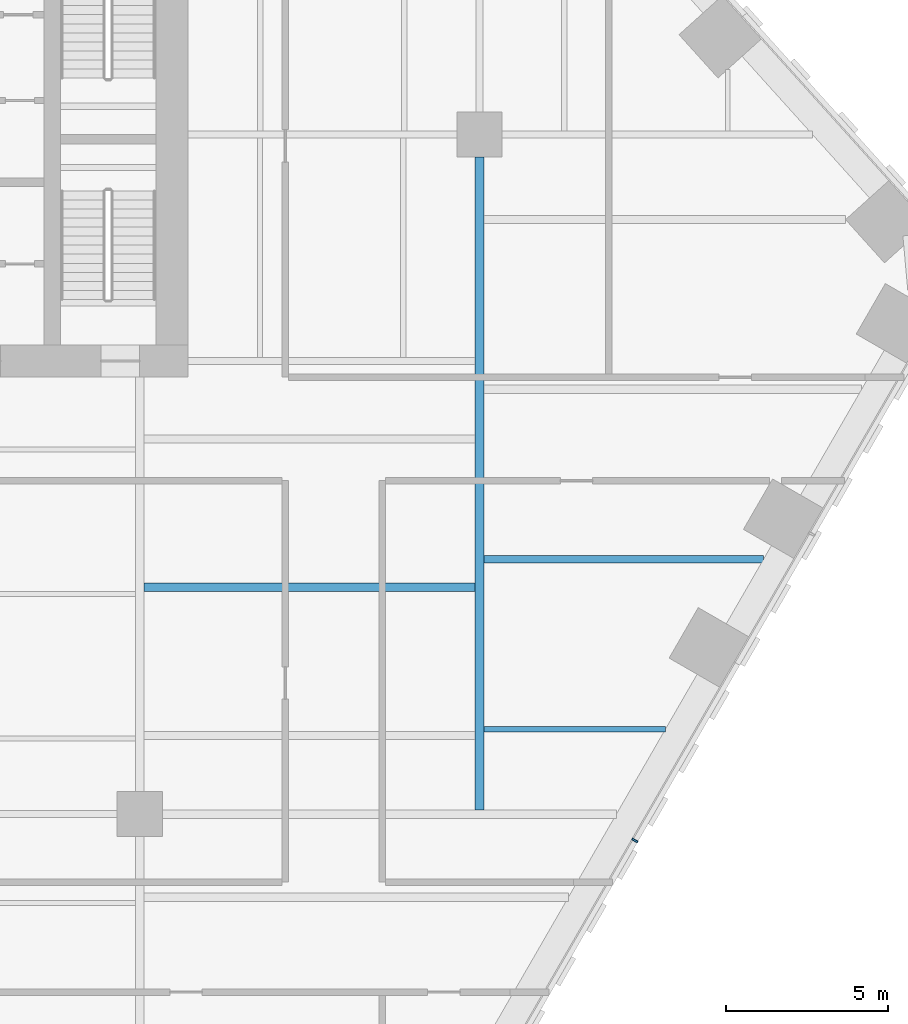
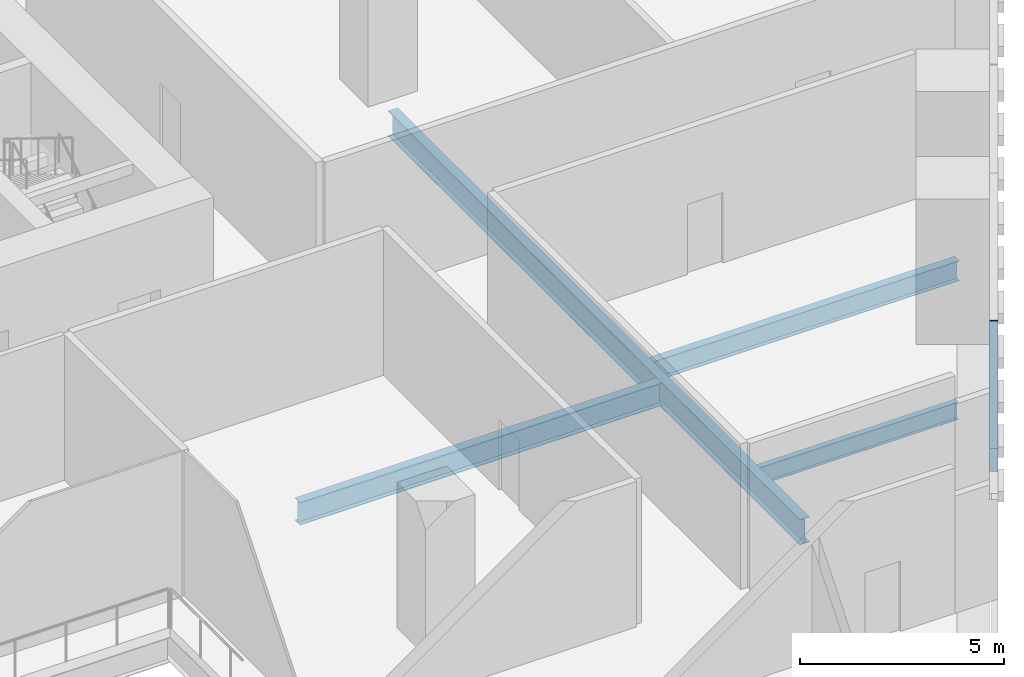
# One storey, part 7 of 19: 4 beams, 1 member, 1 element without a shape of its own.
"""IFC4 building model written with IfcOpenShell, lengths in metres."""

from ifc_helpers import new_model, si_unit, direction, frame, origin, origin_2d, place, context, subcontext, project, spatial, rectangle, i_section, extrude, material, layer, layer_set, material_profile, profile_set, type_object, element, aggregate, save


model = new_model("IFC4")

# Units and contexts
model_context = context("Model", 3, precision=1e-05, world=origin(), true_north=direction((0.0, 1.0)))
body_context = subcontext(model_context, "Body", "Model", "MODEL_VIEW")
ifc_project = project(units=[si_unit("LENGTHUNIT", "METRE"), si_unit("AREAUNIT", "SQUARE_METRE"), si_unit("VOLUMEUNIT", "CUBIC_METRE"), si_unit("PLANEANGLEUNIT", "RADIAN"), si_unit("MASSUNIT", "GRAM", prefix="KILO")], contexts=[model_context])

# Site, building, storey
site_placement = place(None, origin())
site = spatial("IfcSite", under=ifc_project, at=site_placement, CompositionType="ELEMENT")
building_placement = place(site_placement, origin())
building = spatial("IfcBuilding", under=site, at=building_placement, Name="Isthmus Gate Tower", CompositionType="ELEMENT")
storey_placement = place(building_placement, frame((0.0, 0.0, 76.14990234375)))
storey = spatial("IfcBuildingStorey", under=building, at=storey_placement, Name="L17", CompositionType="ELEMENT", Elevation=76.14990234375)

# Curtain wall, member
ifc_material_1 = material(Name="Aluminium, pale champagne anodised", Category="aluminium")
ifc_layer = layer(ifc_material_1, 0.199951171875)
ifc_layer_set = layer_set([ifc_layer], Name="CW-2 LOUVRE CURTAIN WALL 200 DEEP")
curtain_wall_type = type_object("IfcCurtainWallType", Name="CW-2 LOUVRE CURTAIN WALL 200 DEEP", PredefinedType="NOTDEFINED", material=ifc_layer_set)
curtain_wall_placement = place(storey_placement, origin())
curtain_wall = element("IfcCurtainWall", 1, at=curtain_wall_placement, inside=storey, type_object=curtain_wall_type, Name="CW-2 SE L17", PredefinedType="NOTDEFINED")
ifc_material_2 = material(Name="Aluminium, pale champagne anodised", Category="aluminium")
ifc_material_profile_1 = material_profile(ifc_material_2, rectangle(XDim=0.06005859375, YDim=0.199951171875, at=origin_2d()), Name="60x200")
ifc_profile_set_1 = profile_set([ifc_material_profile_1], Name="Aluminium, pale champagne anodised")
member_type = type_object("IfcMemberType", Name="CW-2 MULLION 60 X 200", PredefinedType="MULLION", material=ifc_profile_set_1)
member_placement = place(storey_placement, frame((28.802001953125, -14.3134765625, 0.0), z_axis=(0.0, 0.0, 1.0), x_axis=(0.5, 0.866025403784, 0.0)))
member = element("IfcMember", 2, at=member_placement, type_object=member_type, Name="CW-2 mullion", PredefinedType="MULLION", context=body_context, shape_type="SweptSolid", body=[
    extrude(rectangle(XDim=0.06005859375, YDim=0.199951171875, at=origin_2d()), origin(), (0.0, 0.0, 1.0), 4.5),
])
aggregate(curtain_wall, [member])

# Beams
ifc_material_3 = material(Name="Structural steel ASTM A992 Gr 50", Category="steel")
ifc_material_profile_2 = material_profile(ifc_material_3, i_section(OverallWidth=0.1650390625, OverallDepth=0.52392578125, WebThickness=0.009521484375, FlangeThickness=0.010986328125, at=origin_2d()), Name="W21X44")
ifc_profile_set_2 = profile_set([ifc_material_profile_2], Name="Structural steel ASTM A992 Gr 50")
beam_type_1 = type_object("IfcBeamType", Name="STEEL FLOOR BEAM W21X44", PredefinedType="JOIST", material=ifc_profile_set_2)
beam_1_placement = place(storey_placement, frame((24.13330078125, -10.875, -0.561767578125), z_axis=(1.0, 0.0, 0.0), x_axis=(0.0, 1.0, 0.0)))
element("IfcBeam", 3, at=beam_1_placement, inside=storey, type_object=beam_type_1, Name="str-beam-L17-34-00", PredefinedType="JOIST", context=body_context, shape_type="SweptSolid", body=[
    extrude(i_section(OverallWidth=0.1650390625, OverallDepth=0.52392578125, WebThickness=0.009521484375, FlangeThickness=0.010986328125, at=origin_2d()), origin(), (0.0, 0.0, 1.0), 5.61474609375),
])
ifc_material_4 = material(Name="Structural steel ASTM A992 Gr 50", Category="steel")
ifc_material_profile_3 = material_profile(ifc_material_4, i_section(OverallWidth=0.228515625, OverallDepth=0.603271484375, WebThickness=0.010986328125, FlangeThickness=0.014404296875, at=origin_2d()), Name="W24X68")
ifc_profile_set_3 = profile_set([ifc_material_profile_3], Name="Structural steel ASTM A992 Gr 50")
beam_type_2 = type_object("IfcBeamType", Name="STEEL FLOOR BEAM W24X68", PredefinedType="JOIST", material=ifc_profile_set_3)
beam_2_placement = place(storey_placement, frame((24.13330078125, -5.625, -0.6015625), z_axis=(1.0, 0.0, 0.0), x_axis=(0.0, 1.0, 0.0)))
element("IfcBeam", 4, at=beam_2_placement, inside=storey, type_object=beam_type_2, Name="str-beam-L17-34-01", PredefinedType="JOIST", context=body_context, shape_type="SweptSolid", body=[
    extrude(i_section(OverallWidth=0.228515625, OverallDepth=0.603271484375, WebThickness=0.010986328125, FlangeThickness=0.014404296875, at=origin_2d()), origin(), (0.0, 0.0, 1.0), 8.645751953125),
])
ifc_material_5 = material(Name="Structural steel ASTM A992 Gr 50", Category="steel")
ifc_material_profile_4 = material_profile(ifc_material_5, i_section(OverallWidth=0.25390625, OverallDepth=0.679443359375, WebThickness=0.010986328125, FlangeThickness=0.015869140625, at=origin_2d()), Name="W27X84")
ifc_profile_set_4 = profile_set([ifc_material_profile_4], Name="Structural steel ASTM A992 Gr 50")
beam_type_3 = type_object("IfcBeamType", Name="STEEL FLOOR BEAM W27X84", PredefinedType="JOIST", material=ifc_profile_set_4)
beam_3_placement = place(storey_placement, frame((13.6318359375, -6.490478515625, -0.6396484375), z_axis=(1.0, 0.0, 0.0), x_axis=(0.0, 1.0, 0.0)))
element("IfcBeam", 5, at=beam_3_placement, inside=storey, type_object=beam_type_3, Name="str-beam-L17-27-01", PredefinedType="JOIST", context=body_context, shape_type="SweptSolid", body=[
    extrude(i_section(OverallWidth=0.25390625, OverallDepth=0.679443359375, WebThickness=0.010986328125, FlangeThickness=0.015869140625, at=origin_2d()), origin(), (0.0, 0.0, 1.0), 10.23486328125),
])
ifc_material_6 = material(Name="Structural steel ASTM A992 Gr 50", Category="steel")
ifc_material_profile_5 = material_profile(ifc_material_6, i_section(OverallWidth=0.2666015625, OverallDepth=0.7587890625, WebThickness=0.014404296875, FlangeThickness=0.01904296875, at=origin_2d()), Name="W30X108")
ifc_profile_set_5 = profile_set([ifc_material_profile_5], Name="Structural steel ASTM A992 Gr 50")
beam_type_4 = type_object("IfcBeamType", Name="STEEL GIRDER W30X108", PredefinedType="BEAM", material=ifc_profile_set_5)
beam_4_placement = place(storey_placement, frame((24.0, -13.36669921875, -0.67919921875), z_axis=(0.0, 1.0, 0.0), x_axis=(-1.0, 0.0, 0.0)))
element("IfcBeam", 6, at=beam_4_placement, inside=storey, type_object=beam_type_4, Name="str-girder-L17-35", PredefinedType="BEAM", context=body_context, shape_type="SweptSolid", body=[
    extrude(i_section(OverallWidth=0.2666015625, OverallDepth=0.7587890625, WebThickness=0.014404296875, FlangeThickness=0.01904296875, at=origin_2d()), origin(), (0.0, 0.0, 1.0), 20.166748046875),
])

save(model, "model.ifc")
